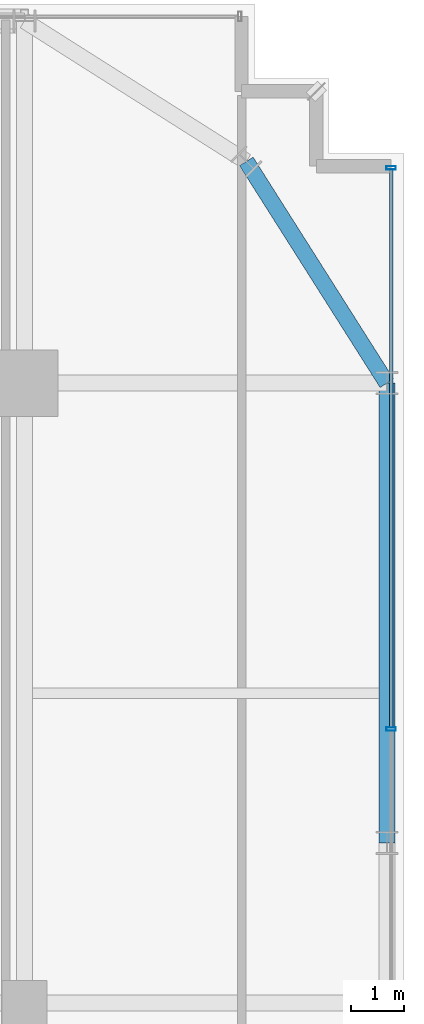
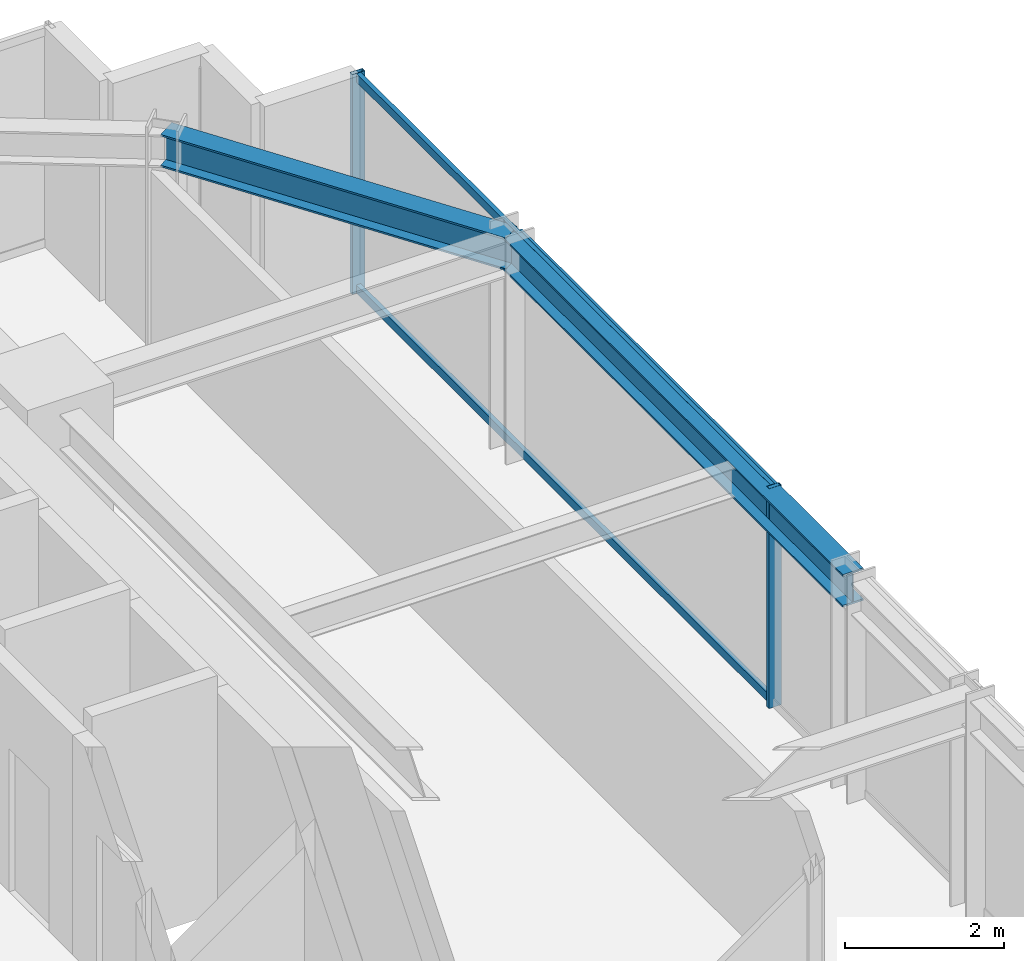
# One storey, part 24 of 39: 4 members, 2 beams, 1 element without a shape of its own.
"""IFC4 building model written with IfcOpenShell, lengths in metres."""

from ifc_helpers import new_model, si_unit, direction, frame, origin, origin_2d, place, context, subcontext, project, spatial, hollow_rectangle, i_section, extrude, source, transform, mapped, material, material_profile, profile_set, type_object, element, aggregate, save


model = new_model("IFC4")

# Units and contexts
model_context = context("Model", 3, precision=1e-05, world=origin(), true_north=direction((0.0, 1.0)))
body_context = subcontext(model_context, "Body", "Model", "MODEL_VIEW")
ifc_project = project(units=[si_unit("LENGTHUNIT", "METRE"), si_unit("AREAUNIT", "SQUARE_METRE"), si_unit("VOLUMEUNIT", "CUBIC_METRE"), si_unit("PLANEANGLEUNIT", "RADIAN"), si_unit("MASSUNIT", "GRAM", prefix="KILO")], contexts=[model_context])

# Site, building, storey
site_placement = place(None, origin())
site = spatial("IfcSite", under=ifc_project, at=site_placement, CompositionType="ELEMENT")
building_placement = place(site_placement, origin())
building = spatial("IfcBuilding", under=site, at=building_placement, Name="Nahalor Promenade Grand Hotel", CompositionType="ELEMENT")
storey_placement = place(building_placement, frame((0.0, 0.0, 135.75)))
storey = spatial("IfcBuildingStorey", under=building, at=storey_placement, Name="L34", CompositionType="ELEMENT", Elevation=135.75)

# Beams
ifc_material_1 = material(Name="Steel S355JR", Category="steel")
ifc_material_profile_1 = material_profile(ifc_material_1, i_section(OverallWidth=0.3, OverallDepth=0.5, WebThickness=0.0145, FlangeThickness=0.028, at=origin_2d()), Name="HEB 500")
ifc_profile_set_1 = profile_set([ifc_material_profile_1], Name="Steel S355JR")
beam_type = type_object("IfcBeamType", Name="Beam-Spandrel-HEB500", PredefinedType="SPANDREL", material=ifc_profile_set_1)
shared_shape_1 = source(origin(), body_context, "Body", "SweptSolid", [
    extrude(i_section(OverallWidth=0.3, OverallDepth=0.5, WebThickness=0.0145, FlangeThickness=0.028, at=origin_2d()), origin(), (0.0, 0.0, 1.0), 8.60009765625),
])
beam_1_placement = place(storey_placement, frame((23.780029296875, 8.39990234375, 3.1298828125), z_axis=(0.0, 1.0, 0.0), x_axis=(-1.0, 0.0, 0.0)))
element("IfcBeam", 1, at=beam_1_placement, inside=storey, type_object=beam_type, Name="BM-L34-SP-E-4", PredefinedType="SPANDREL", context=body_context, shape_type="MappedRepresentation", body=[
    mapped(shared_shape_1, transform((0.0, 0.0, 0.0), scale=1.0)),
])
shared_shape_2 = source(origin(), body_context, "Body", "SweptSolid", [
    extrude(i_section(OverallWidth=0.3, OverallDepth=0.5, WebThickness=0.0145, FlangeThickness=0.028, at=origin_2d()), origin(), (0.0, 0.0, 1.0), 4.9130859375),
])
beam_2_placement = place(storey_placement, frame((21.14990234375, 21.14990234375, 3.1298828125), z_axis=(0.535321591403, -0.844648325505, 0.0), x_axis=(0.844648325505, 0.535321591403, 0.0)))
element("IfcBeam", 2, at=beam_2_placement, inside=storey, type_object=beam_type, Name="BM-L34-SPC-NE-2", PredefinedType="SPANDREL", context=body_context, shape_type="MappedRepresentation", body=[
    mapped(shared_shape_2, transform((0.0, 0.0, 0.0), scale=1.0)),
])

# Curtain wall, members
ifc_material_2 = material(Name="Anodised Bronze Aluminium EN AW-6063 T6", Category="aluminium")
curtain_wall_type = type_object("IfcCurtainWallType", Name="CW2 Typical Hotel Flush Bronze Unitised Curtain Wall", PredefinedType="USERDEFINED", material=ifc_material_2)
curtain_wall_placement = place(storey_placement, origin())
curtain_wall = element("IfcCurtainWall", 3, at=curtain_wall_placement, inside=storey, type_object=curtain_wall_type, Name="L34 Curtain Wall CW-L34-E-1", ObjectType="UNITISED_CURTAIN_WALL", PredefinedType="USERDEFINED")
ifc_material_profile_2 = material_profile(ifc_material_2, hollow_rectangle(XDim=0.065, YDim=0.18, WallThickness=0.004, at=origin_2d()), Name="CWM 65x180x4")
ifc_profile_set_2 = profile_set([ifc_material_profile_2], Name="Anodised Bronze Aluminium EN AW-6063 T6")
member_type_1 = type_object("IfcMemberType", Name="CWM2 Typical Bronze Mullion 65x180", PredefinedType="MULLION", material=ifc_profile_set_2)
shared_shape_3 = source(origin(), body_context, "Body", "SweptSolid", [
    extrude(hollow_rectangle(XDim=0.065, YDim=0.18, WallThickness=0.004, at=origin_2d()), origin(), (0.0, 0.0, 1.0), 3.3798828125),
])
member_1_placement = place(storey_placement, frame((23.860107421875, 10.530029296875, 0.0), z_axis=(0.0, 0.0, 1.0), x_axis=(0.0, 1.0, 0.0)))
member_1 = element("IfcMember", 4, at=member_1_placement, type_object=member_type_1, Name="CW-L34-E-1 Mullion 3", PredefinedType="MULLION", context=body_context, shape_type="MappedRepresentation", body=[
    mapped(shared_shape_3, transform((0.0, 0.0, 0.0), scale=1.0)),
])
member_2_placement = place(storey_placement, frame((23.860107421875, 21.027587890625, 0.0), z_axis=(0.0, 0.0, 1.0), x_axis=(0.0, 1.0, 0.0)))
member_2 = element("IfcMember", 5, at=member_2_placement, type_object=member_type_1, Name="CW-L34-E-1 Mullion 4", PredefinedType="MULLION", context=body_context, shape_type="MappedRepresentation", body=[
    mapped(shared_shape_3, transform((0.0, 0.0, 0.0), scale=1.0)),
])
ifc_material_profile_3 = material_profile(ifc_material_2, hollow_rectangle(XDim=0.065, YDim=0.13, WallThickness=0.004, at=origin_2d()), Name="CWT 65x130x4")
ifc_profile_set_3 = profile_set([ifc_material_profile_3], Name="Anodised Bronze Aluminium EN AW-6063 T6")
member_type_2 = type_object("IfcMemberType", Name="CWT2 Typical Bronze Transom 65x130", PredefinedType="USERDEFINED", material=ifc_profile_set_3)
shared_shape_4 = source(origin(), body_context, "Body", "SweptSolid", [
    extrude(hollow_rectangle(XDim=0.065, YDim=0.13, WallThickness=0.004, at=origin_2d()), origin(), (0.0, 0.0, 1.0), 10.4326171875),
])
member_3_placement = place(storey_placement, frame((23.860107421875, 10.5625, 0.06494140625), z_axis=(0.0, 1.0, 0.0), x_axis=(-1.0, 0.0, 0.0)))
member_3 = element("IfcMember", 6, at=member_3_placement, type_object=member_type_2, Name="CW-L34-E-1 Transom 3-0", ObjectType="TRANSOM", PredefinedType="USERDEFINED", context=body_context, shape_type="MappedRepresentation", body=[
    mapped(shared_shape_4, transform((0.0, 0.0, 0.0), scale=1.0)),
])
member_4_placement = place(storey_placement, frame((23.860107421875, 10.5625, 3.31494140625), z_axis=(0.0, 1.0, 0.0), x_axis=(-1.0, 0.0, 0.0)))
member_4 = element("IfcMember", 7, at=member_4_placement, type_object=member_type_2, Name="CW-L34-E-1 Transom 3-1", ObjectType="TRANSOM", PredefinedType="USERDEFINED", context=body_context, shape_type="MappedRepresentation", body=[
    mapped(shared_shape_4, transform((0.0, 0.0, 0.0), scale=1.0)),
])
aggregate(curtain_wall, [member_1, member_2, member_3, member_4])

save(model, "model.ifc")
